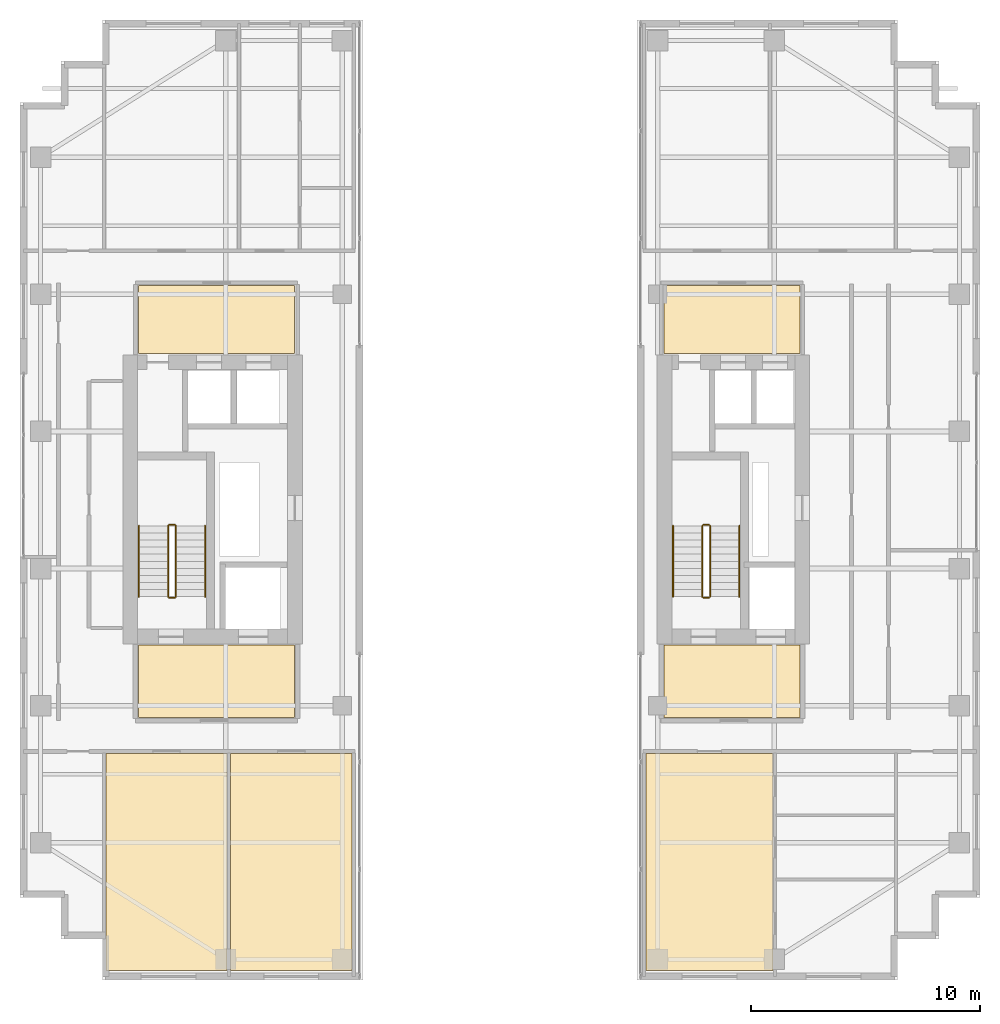
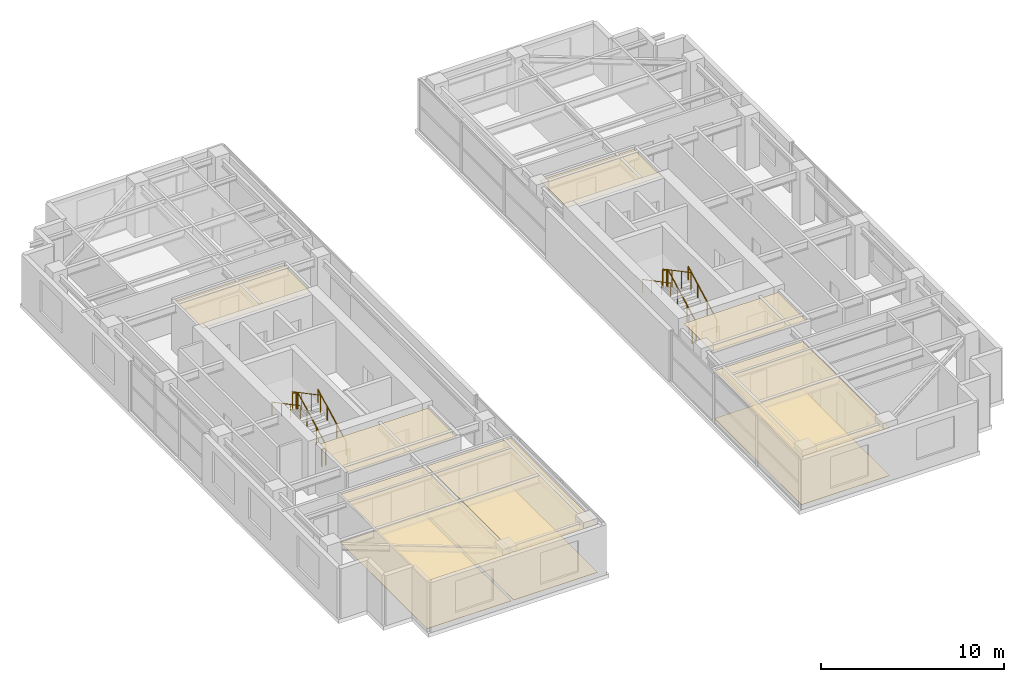
# One storey, part 21 of 22: 12 railings, 10 coverings.
"""IFC4 building model written with IfcOpenShell, lengths in metres."""

from ifc_helpers import new_model, si_unit, direction, frame, origin, origin_2d, place, context, subcontext, project, spatial, polyline, circle, outline, extrude, material, layer, layer_set, type_object, element, save


model = new_model("IFC4")

# Units and contexts
model_context = context("Model", 3, precision=1e-05, world=origin(), true_north=direction((0.0, 1.0)))
body_context = subcontext(model_context, "Body", "Model", "MODEL_VIEW")
ifc_project = project(units=[si_unit("LENGTHUNIT", "METRE"), si_unit("AREAUNIT", "SQUARE_METRE"), si_unit("VOLUMEUNIT", "CUBIC_METRE"), si_unit("PLANEANGLEUNIT", "RADIAN"), si_unit("MASSUNIT", "GRAM", prefix="KILO")], contexts=[model_context])

# Site, building, storey
site_placement = place(None, origin())
site = spatial("IfcSite", under=ifc_project, at=site_placement, CompositionType="ELEMENT")
building_placement = place(site_placement, origin())
building = spatial("IfcBuilding", under=site, at=building_placement, Name="Khoralis Quay Care Tower", CompositionType="ELEMENT")
storey_placement = place(building_placement, frame((0.0, 0.0, 184.5)))
storey = spatial("IfcBuildingStorey", under=building, at=storey_placement, Name="L48", CompositionType="ELEMENT", Elevation=184.5)

# Coverings
ifc_material_1 = material(Name="Mineral-fibre acoustic ceiling tile")
ifc_layer_1 = layer(ifc_material_1, 0.01806640625)
ifc_layer_set_1 = layer_set([ifc_layer_1], Name="Mineral-fibre acoustic ceiling tile")
covering_type_1 = type_object("IfcCoveringType", Name="COV-CEIL-AC18", PredefinedType="CEILING", material=ifc_layer_set_1)
covering_1_placement = place(storey_placement, frame((0.0, 0.0, 3.19189453125)))
element("IfcCovering", 1, at=covering_1_placement, inside=storey, type_object=covering_type_1, Name="Suspended Acoustic Ceiling SP-L48-FFLOB-W", PredefinedType="CEILING", context=body_context, shape_type="SweptSolid", body=[
    extrude(outline(polyline([(8.179931640625, 11.47998046875), (15.02001953125, 11.47998046875), (15.02001953125, 14.64990234375), (8.179931640625, 14.64990234375), (8.179931640625, 11.47998046875)])), origin(), (0.0, 0.0, 1.0), 0.01806640625),
])
covering_2_placement = place(storey_placement, frame((0.0, 0.0, 3.19189453125)))
element("IfcCovering", 2, at=covering_2_placement, inside=storey, type_object=covering_type_1, Name="Suspended Acoustic Ceiling SP-L48-FFLOB-E", PredefinedType="CEILING", context=body_context, shape_type="SweptSolid", body=[
    extrude(outline(polyline([(31.179931640625, 11.47998046875), (37.1201171875, 11.47998046875), (37.1201171875, 14.64990234375), (31.179931640625, 14.64990234375), (31.179931640625, 11.47998046875)])), origin(), (0.0, 0.0, 1.0), 0.01806640625),
])
covering_3_placement = place(storey_placement, frame((0.0, 0.0, 3.19189453125)))
element("IfcCovering", 3, at=covering_3_placement, inside=storey, type_object=covering_type_1, Name="Suspended Acoustic Ceiling SP-L48-LLOB-W", PredefinedType="CEILING", context=body_context, shape_type="SweptSolid", body=[
    extrude(outline(polyline([(8.179931640625, 27.39990234375), (15.02001953125, 27.39990234375), (15.02001953125, 30.389892578125), (8.179931640625, 30.389892578125), (8.179931640625, 27.39990234375)])), origin(), (0.0, 0.0, 1.0), 0.01806640625),
])
covering_4_placement = place(storey_placement, frame((0.0, 0.0, 3.19189453125)))
element("IfcCovering", 4, at=covering_4_placement, inside=storey, type_object=covering_type_1, Name="Suspended Acoustic Ceiling SP-L48-LLOB-E", PredefinedType="CEILING", context=body_context, shape_type="SweptSolid", body=[
    extrude(outline(polyline([(31.179931640625, 27.39990234375), (37.1201171875, 27.39990234375), (37.1201171875, 30.389892578125), (31.179931640625, 30.389892578125), (31.179931640625, 27.39990234375)])), origin(), (0.0, 0.0, 1.0), 0.01806640625),
])
covering_5_placement = place(storey_placement, frame((0.0, 0.0, 3.19189453125)))
element("IfcCovering", 5, at=covering_5_placement, inside=storey, type_object=covering_type_1, Name="Suspended Acoustic Ceiling SP-L48-WS-COM0", PredefinedType="CEILING", context=body_context, shape_type="SweptSolid", body=[
    extrude(outline(polyline([(6.760009765625, 0.419921875), (12.06005859375, 0.419921875), (12.06005859375, 9.919921875), (6.760009765625, 9.919921875), (6.760009765625, 0.419921875)])), origin(), (0.0, 0.0, 1.0), 0.01806640625),
])
covering_6_placement = place(storey_placement, frame((0.0, 0.0, 3.19189453125)))
element("IfcCovering", 6, at=covering_6_placement, inside=storey, type_object=covering_type_1, Name="Suspended Acoustic Ceiling SP-L48-WS-COM1", PredefinedType="CEILING", context=body_context, shape_type="SweptSolid", body=[
    extrude(outline(polyline([(12.219970703125, 0.419921875), (17.52001953125, 0.419921875), (17.52001953125, 9.919921875), (12.219970703125, 9.919921875), (12.219970703125, 0.419921875)])), origin(), (0.0, 0.0, 1.0), 0.01806640625),
])
covering_7_placement = place(storey_placement, frame((0.0, 0.0, 3.19189453125)))
element("IfcCovering", 7, at=covering_7_placement, inside=storey, type_object=covering_type_1, Name="Suspended Acoustic Ceiling SP-L48-ES-LIV0", PredefinedType="CEILING", context=body_context, shape_type="SweptSolid", body=[
    extrude(outline(polyline([(30.3798828125, 0.419921875), (35.949951171875, 0.419921875), (35.949951171875, 9.919921875), (30.3798828125, 9.919921875), (30.3798828125, 0.419921875)])), origin(), (0.0, 0.0, 1.0), 0.01806640625),
])
ifc_material_2 = material(Name="Porcelain and non-slip vinyl flooring")
ifc_layer_2 = layer(ifc_material_2, 0.02001953125)
ifc_layer_set_2 = layer_set([ifc_layer_2], Name="Porcelain and non-slip vinyl flooring")
covering_type_2 = type_object("IfcCoveringType", Name="COV-FLOOR-20", PredefinedType="FLOORING", material=ifc_layer_set_2)
covering_8_placement = place(storey_placement, origin())
element("IfcCovering", 8, at=covering_8_placement, inside=storey, type_object=covering_type_2, Name="Resilient Healthcare Flooring SP-L48-WS-COM0", PredefinedType="FLOORING", context=body_context, shape_type="SweptSolid", body=[
    extrude(outline(polyline([(6.760009765625, 0.419921875), (12.06005859375, 0.419921875), (12.06005859375, 9.919921875), (6.760009765625, 9.919921875), (6.760009765625, 0.419921875)])), origin(), (0.0, 0.0, 1.0), 0.02001953125),
])
covering_9_placement = place(storey_placement, origin())
element("IfcCovering", 9, at=covering_9_placement, inside=storey, type_object=covering_type_2, Name="Resilient Healthcare Flooring SP-L48-WS-COM1", PredefinedType="FLOORING", context=body_context, shape_type="SweptSolid", body=[
    extrude(outline(polyline([(12.219970703125, 0.419921875), (17.52001953125, 0.419921875), (17.52001953125, 9.919921875), (12.219970703125, 9.919921875), (12.219970703125, 0.419921875)])), origin(), (0.0, 0.0, 1.0), 0.02001953125),
])
covering_10_placement = place(storey_placement, origin())
element("IfcCovering", 10, at=covering_10_placement, inside=storey, type_object=covering_type_2, Name="Resilient Healthcare Flooring SP-L48-ES-LIV0", PredefinedType="FLOORING", context=body_context, shape_type="SweptSolid", body=[
    extrude(outline(polyline([(30.3798828125, 0.419921875), (35.949951171875, 0.419921875), (35.949951171875, 9.919921875), (30.3798828125, 9.919921875), (30.3798828125, 0.419921875)])), origin(), (0.0, 0.0, 1.0), 0.02001953125),
])

# Railings
ifc_material_3 = material(Name="Brushed stainless steel", Category="steel")
railing_type_1 = type_object("IfcRailingType", Name="RL-GUARD-1150", PredefinedType="GUARDRAIL", material=ifc_material_3)
railing_1_placement = place(storey_placement, frame((9.820068359375, 16.77001953125, 0.16357421875)))
element("IfcRailing", 11, at=railing_1_placement, inside=storey, type_object=railing_type_1, Name="L48 ST-T1 stair guard 1", PredefinedType="GUARDRAIL", context=body_context, shape_type="SweptSolid", body=[
    extrude(circle(Radius=0.02392578125, at=origin_2d()), frame((0.0, 0.0, 1.1259765625), z_axis=(0.0, 0.884348015382, 0.466828220752), x_axis=(-1.0, 0.0, 0.0)), (0.0, 0.0, 1.0), 3.505615234375),
    extrude(circle(Radius=0.02099609375, at=origin_2d()), origin(), (0.0, 0.0, 1.0), 1.101806640625),
    extrude(circle(Radius=0.02099609375, at=origin_2d()), frame((0.0, 1.033447265625, 0.54541015625)), (0.0, 0.0, 1.0), 1.101806640625),
    extrude(circle(Radius=0.02099609375, at=origin_2d()), frame((0.0, 2.066650390625, 1.091064453125)), (0.0, 0.0, 1.0), 1.101806640625),
    extrude(circle(Radius=0.02099609375, at=origin_2d()), frame((0.0, 3.10009765625, 1.636474609375)), (0.0, 0.0, 1.0), 1.101806640625),
])
railing_2_placement = place(storey_placement, frame((9.77001953125, 19.919921875, 1.800048828125)))
element("IfcRailing", 12, at=railing_2_placement, inside=storey, type_object=railing_type_1, Name="L48 ST-T1 stair guard 2", PredefinedType="GUARDRAIL", context=body_context, shape_type="SweptSolid", body=[
    extrude(circle(Radius=0.02392578125, at=origin_2d()), frame((0.0, 0.0, 1.1259765625), z_axis=(-1.0, 0.0, 0.0), x_axis=(0.0, -1.0, 0.0)), (0.0, 0.0, 1.0), 0.239990234375),
    extrude(circle(Radius=0.02099609375, at=origin_2d()), origin(), (0.0, 0.0, 1.0), 1.101806640625),
    extrude(circle(Radius=0.02099609375, at=origin_2d()), frame((-0.239990234375, 0.0, 0.0)), (0.0, 0.0, 1.0), 1.101806640625),
])
railing_3_placement = place(storey_placement, frame((9.47998046875, 19.8701171875, 1.963623046875)))
element("IfcRailing", 13, at=railing_3_placement, inside=storey, type_object=railing_type_1, Name="L48 ST-T1 stair guard 3", PredefinedType="GUARDRAIL", context=body_context, shape_type="SweptSolid", body=[
    extrude(circle(Radius=0.02392578125, at=origin_2d()), frame((0.0, 0.0, 1.1259765625), z_axis=(0.0, -0.884348015382, 0.466828220752), x_axis=(1.0, 0.0, 0.0)), (0.0, 0.0, 1.0), 3.505615234375),
    extrude(circle(Radius=0.02099609375, at=origin_2d()), origin(), (0.0, 0.0, 1.0), 1.101806640625),
    extrude(circle(Radius=0.02099609375, at=origin_2d()), frame((0.0, -1.033447265625, 0.54541015625)), (0.0, 0.0, 1.0), 1.101806640625),
    extrude(circle(Radius=0.02099609375, at=origin_2d()), frame((0.0, -2.066650390625, 1.091064453125)), (0.0, 0.0, 1.0), 1.101806640625),
    extrude(circle(Radius=0.02099609375, at=origin_2d()), frame((0.0, -3.10009765625, 1.636474609375)), (0.0, 0.0, 1.0), 1.101806640625),
])
railing_4_placement = place(storey_placement, frame((9.77001953125, 16.719970703125, 0.0)))
element("IfcRailing", 14, at=railing_4_placement, inside=storey, type_object=railing_type_1, Name="L48 ST-T1 stair guard 4", PredefinedType="GUARDRAIL", context=body_context, shape_type="SweptSolid", body=[
    extrude(circle(Radius=0.02392578125, at=origin_2d()), frame((0.0, 0.0, 1.1259765625), z_axis=(-1.0, 0.0, 0.0), x_axis=(0.0, -1.0, 0.0)), (0.0, 0.0, 1.0), 0.239990234375),
    extrude(circle(Radius=0.02099609375, at=origin_2d()), origin(), (0.0, 0.0, 1.0), 1.101806640625),
    extrude(circle(Radius=0.02099609375, at=origin_2d()), frame((-0.239990234375, 0.0, 0.0)), (0.0, 0.0, 1.0), 1.101806640625),
])
railing_5_placement = place(storey_placement, frame((33.18994140625, 16.77001953125, 0.16357421875)))
element("IfcRailing", 15, at=railing_5_placement, inside=storey, type_object=railing_type_1, Name="L48 ST-T2 stair guard 1", PredefinedType="GUARDRAIL", context=body_context, shape_type="SweptSolid", body=[
    extrude(circle(Radius=0.02392578125, at=origin_2d()), frame((0.0, 0.0, 1.1259765625), z_axis=(0.0, 0.884348015382, 0.466828220752), x_axis=(-1.0, 0.0, 0.0)), (0.0, 0.0, 1.0), 3.505615234375),
    extrude(circle(Radius=0.02099609375, at=origin_2d()), origin(), (0.0, 0.0, 1.0), 1.101806640625),
    extrude(circle(Radius=0.02099609375, at=origin_2d()), frame((0.0, 1.033447265625, 0.54541015625)), (0.0, 0.0, 1.0), 1.101806640625),
    extrude(circle(Radius=0.02099609375, at=origin_2d()), frame((0.0, 2.066650390625, 1.091064453125)), (0.0, 0.0, 1.0), 1.101806640625),
    extrude(circle(Radius=0.02099609375, at=origin_2d()), frame((0.0, 3.10009765625, 1.636474609375)), (0.0, 0.0, 1.0), 1.101806640625),
])
railing_6_placement = place(storey_placement, frame((33.139892578125, 19.919921875, 1.800048828125)))
element("IfcRailing", 16, at=railing_6_placement, inside=storey, type_object=railing_type_1, Name="L48 ST-T2 stair guard 2", PredefinedType="GUARDRAIL", context=body_context, shape_type="SweptSolid", body=[
    extrude(circle(Radius=0.02392578125, at=origin_2d()), frame((0.0, 0.0, 1.1259765625), z_axis=(-1.0, 0.0, 0.0), x_axis=(0.0, -1.0, 0.0)), (0.0, 0.0, 1.0), 0.239990234375),
    extrude(circle(Radius=0.02099609375, at=origin_2d()), origin(), (0.0, 0.0, 1.0), 1.101806640625),
    extrude(circle(Radius=0.02099609375, at=origin_2d()), frame((-0.239990234375, 0.0, 0.0)), (0.0, 0.0, 1.0), 1.101806640625),
])
railing_7_placement = place(storey_placement, frame((32.85009765625, 19.8701171875, 1.963623046875)))
element("IfcRailing", 17, at=railing_7_placement, inside=storey, type_object=railing_type_1, Name="L48 ST-T2 stair guard 3", PredefinedType="GUARDRAIL", context=body_context, shape_type="SweptSolid", body=[
    extrude(circle(Radius=0.02392578125, at=origin_2d()), frame((0.0, 0.0, 1.1259765625), z_axis=(0.0, -0.884348015382, 0.466828220752), x_axis=(1.0, 0.0, 0.0)), (0.0, 0.0, 1.0), 3.505615234375),
    extrude(circle(Radius=0.02099609375, at=origin_2d()), origin(), (0.0, 0.0, 1.0), 1.101806640625),
    extrude(circle(Radius=0.02099609375, at=origin_2d()), frame((0.0, -1.033447265625, 0.54541015625)), (0.0, 0.0, 1.0), 1.101806640625),
    extrude(circle(Radius=0.02099609375, at=origin_2d()), frame((0.0, -2.066650390625, 1.091064453125)), (0.0, 0.0, 1.0), 1.101806640625),
    extrude(circle(Radius=0.02099609375, at=origin_2d()), frame((0.0, -3.10009765625, 1.636474609375)), (0.0, 0.0, 1.0), 1.101806640625),
])
railing_8_placement = place(storey_placement, frame((33.139892578125, 16.719970703125, 0.0)))
element("IfcRailing", 18, at=railing_8_placement, inside=storey, type_object=railing_type_1, Name="L48 ST-T2 stair guard 4", PredefinedType="GUARDRAIL", context=body_context, shape_type="SweptSolid", body=[
    extrude(circle(Radius=0.02392578125, at=origin_2d()), frame((0.0, 0.0, 1.1259765625), z_axis=(-1.0, 0.0, 0.0), x_axis=(0.0, -1.0, 0.0)), (0.0, 0.0, 1.0), 0.239990234375),
    extrude(circle(Radius=0.02099609375, at=origin_2d()), origin(), (0.0, 0.0, 1.0), 1.101806640625),
    extrude(circle(Radius=0.02099609375, at=origin_2d()), frame((-0.239990234375, 0.0, 0.0)), (0.0, 0.0, 1.0), 1.101806640625),
])
railing_type_2 = type_object("IfcRailingType", Name="RL-HAND-900", PredefinedType="HANDRAIL", material=ifc_material_3)
railing_9_placement = place(storey_placement, frame((11.10009765625, 16.77001953125, 0.16357421875)))
element("IfcRailing", 19, at=railing_9_placement, inside=storey, type_object=railing_type_2, Name="L48 ST-T1 stair handrail 1", PredefinedType="HANDRAIL", context=body_context, shape_type="SweptSolid", body=[
    extrude(circle(Radius=0.02392578125, at=origin_2d()), frame((0.0, 0.0, 0.8759765625), z_axis=(0.0, 0.884348015382, 0.466828220752), x_axis=(-1.0, 0.0, 0.0)), (0.0, 0.0, 1.0), 3.505615234375),
    extrude(circle(Radius=0.02099609375, at=origin_2d()), origin(), (0.0, 0.0, 1.0), 0.851806640625),
    extrude(circle(Radius=0.02099609375, at=origin_2d()), frame((0.0, 1.033447265625, 0.54541015625)), (0.0, 0.0, 1.0), 0.851806640625),
    extrude(circle(Radius=0.02099609375, at=origin_2d()), frame((0.0, 2.066650390625, 1.091064453125)), (0.0, 0.0, 1.0), 0.851806640625),
    extrude(circle(Radius=0.02099609375, at=origin_2d()), frame((0.0, 3.10009765625, 1.636474609375)), (0.0, 0.0, 1.0), 0.851806640625),
])
railing_10_placement = place(storey_placement, frame((8.199951171875, 19.8701171875, 1.963623046875)))
element("IfcRailing", 20, at=railing_10_placement, inside=storey, type_object=railing_type_2, Name="L48 ST-T1 stair handrail 2", PredefinedType="HANDRAIL", context=body_context, shape_type="SweptSolid", body=[
    extrude(circle(Radius=0.02392578125, at=origin_2d()), frame((0.0, 0.0, 0.8759765625), z_axis=(0.0, -0.884348015382, 0.466828220752), x_axis=(1.0, 0.0, 0.0)), (0.0, 0.0, 1.0), 3.505615234375),
    extrude(circle(Radius=0.02099609375, at=origin_2d()), origin(), (0.0, 0.0, 1.0), 0.851806640625),
    extrude(circle(Radius=0.02099609375, at=origin_2d()), frame((0.0, -1.033447265625, 0.54541015625)), (0.0, 0.0, 1.0), 0.851806640625),
    extrude(circle(Radius=0.02099609375, at=origin_2d()), frame((0.0, -2.066650390625, 1.091064453125)), (0.0, 0.0, 1.0), 0.851806640625),
    extrude(circle(Radius=0.02099609375, at=origin_2d()), frame((0.0, -3.10009765625, 1.636474609375)), (0.0, 0.0, 1.0), 0.851806640625),
])
railing_11_placement = place(storey_placement, frame((34.469970703125, 16.77001953125, 0.16357421875)))
element("IfcRailing", 21, at=railing_11_placement, inside=storey, type_object=railing_type_2, Name="L48 ST-T2 stair handrail 1", PredefinedType="HANDRAIL", context=body_context, shape_type="SweptSolid", body=[
    extrude(circle(Radius=0.02392578125, at=origin_2d()), frame((0.0, 0.0, 0.8759765625), z_axis=(0.0, 0.884348015382, 0.466828220752), x_axis=(-1.0, 0.0, 0.0)), (0.0, 0.0, 1.0), 3.505615234375),
    extrude(circle(Radius=0.02099609375, at=origin_2d()), origin(), (0.0, 0.0, 1.0), 0.851806640625),
    extrude(circle(Radius=0.02099609375, at=origin_2d()), frame((0.0, 1.033447265625, 0.54541015625)), (0.0, 0.0, 1.0), 0.851806640625),
    extrude(circle(Radius=0.02099609375, at=origin_2d()), frame((0.0, 2.066650390625, 1.091064453125)), (0.0, 0.0, 1.0), 0.851806640625),
    extrude(circle(Radius=0.02099609375, at=origin_2d()), frame((0.0, 3.10009765625, 1.636474609375)), (0.0, 0.0, 1.0), 0.851806640625),
])
railing_12_placement = place(storey_placement, frame((31.570068359375, 19.8701171875, 1.963623046875)))
element("IfcRailing", 22, at=railing_12_placement, inside=storey, type_object=railing_type_2, Name="L48 ST-T2 stair handrail 2", PredefinedType="HANDRAIL", context=body_context, shape_type="SweptSolid", body=[
    extrude(circle(Radius=0.02392578125, at=origin_2d()), frame((0.0, 0.0, 0.8759765625), z_axis=(0.0, -0.884348015382, 0.466828220752), x_axis=(1.0, 0.0, 0.0)), (0.0, 0.0, 1.0), 3.505615234375),
    extrude(circle(Radius=0.02099609375, at=origin_2d()), origin(), (0.0, 0.0, 1.0), 0.851806640625),
    extrude(circle(Radius=0.02099609375, at=origin_2d()), frame((0.0, -1.033447265625, 0.54541015625)), (0.0, 0.0, 1.0), 0.851806640625),
    extrude(circle(Radius=0.02099609375, at=origin_2d()), frame((0.0, -2.066650390625, 1.091064453125)), (0.0, 0.0, 1.0), 0.851806640625),
    extrude(circle(Radius=0.02099609375, at=origin_2d()), frame((0.0, -3.10009765625, 1.636474609375)), (0.0, 0.0, 1.0), 0.851806640625),
])

save(model, "model.ifc")
